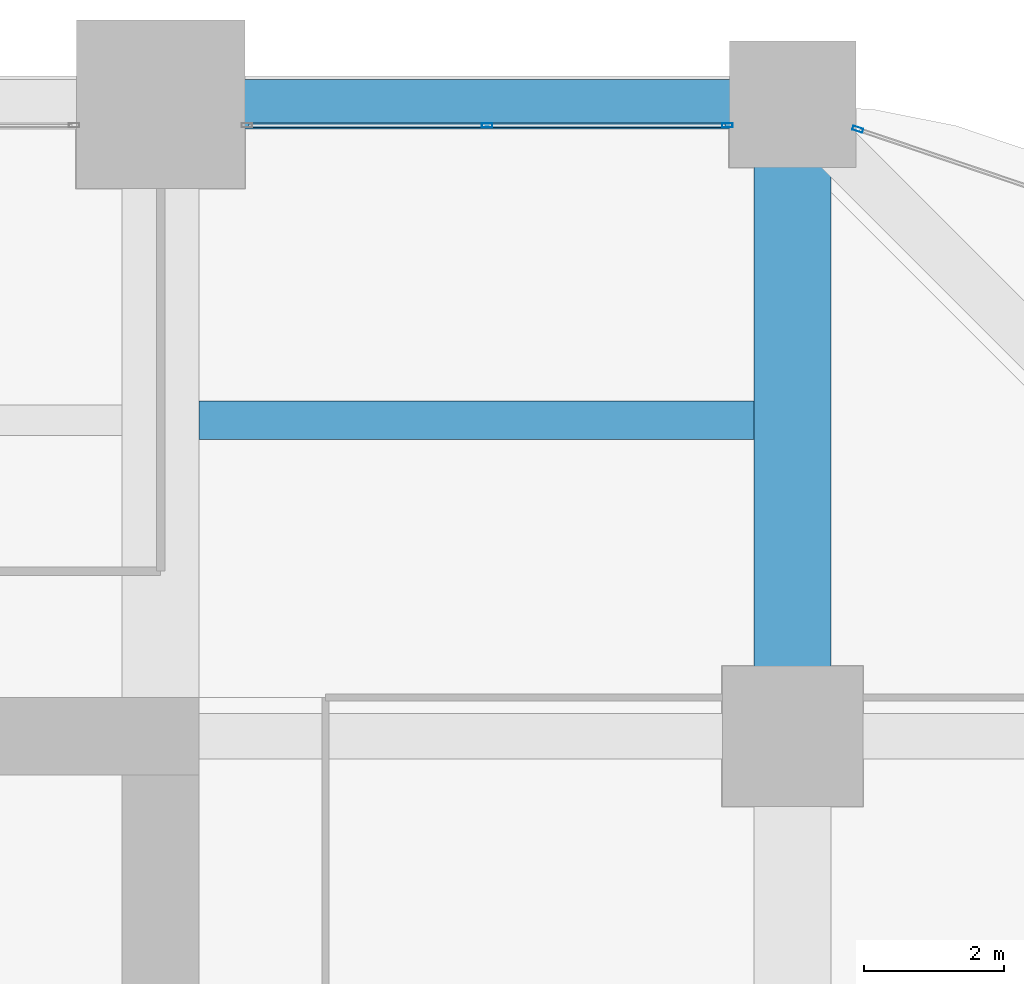
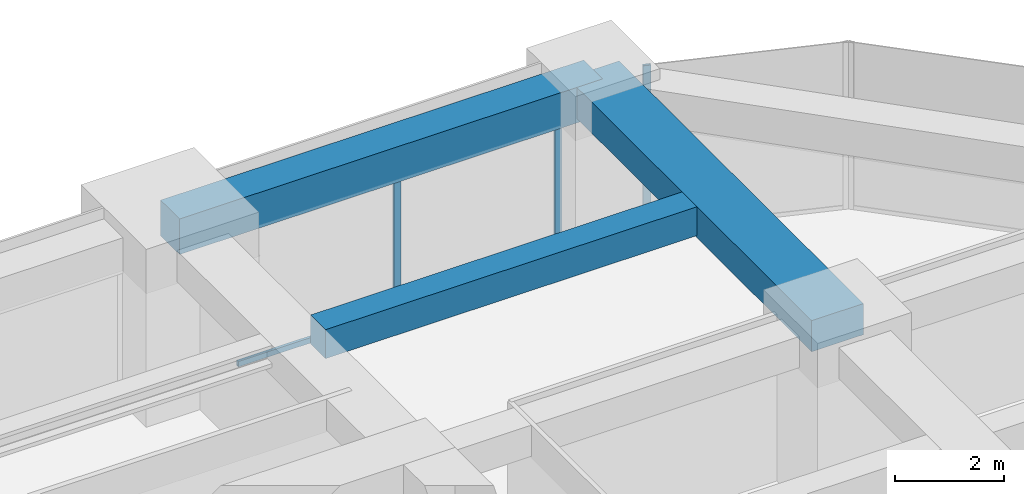
# One storey, part 33 of 39: 4 members, 3 beams, 2 elements without a shape of their own.
"""IFC4 building model written with IfcOpenShell, lengths in metres."""

import ifcopenshell
import ifcopenshell.guid

model = None  # the IFC model being written
_history = None  # IfcOwnerHistory: only IFC2X3 demands one
_inside = {}  # id of a spatial element -> (the spatial element, [elements in it])
_under = {}  # id of a project, library or spatial element -> (it, [spatial elements below it])
_declared = {}  # id of a project -> (the project, [libraries it declares])
_typed = {}  # id of a type object -> (the type object, [elements of that type])
_made_of = {}  # id of a material, layer set ... -> (it, [elements and type objects made of it])


def new_model(schema):
    """Start an empty IFC model of exactly this schema.

    Asked for "IFC4X3", IfcOpenShell would pick the latest addendum, in which some entities
    have other attributes; the version numbers below select the first issue.
    IFC2X3 requires an IfcOwnerHistory on every rooted entity: one is made here for all.
    """
    global model, _history
    if schema == "IFC4X3":
        model = ifcopenshell.file(schema_version=(4, 3, 0, 0))
    else:
        model = ifcopenshell.file(schema=schema)
    _inside.clear()
    _under.clear()
    _declared.clear()
    _typed.clear()
    _made_of.clear()
    _history = None
    if model.schema == "IFC2X3":
        org = make("IfcOrganization", Name="unknown")
        user = make(
            "IfcPersonAndOrganization",
            ThePerson=make("IfcPerson", FamilyName="unknown"),
            TheOrganization=org,
        )
        app = make(
            "IfcApplication",
            ApplicationDeveloper=org,
            Version="unknown",
            ApplicationFullName="unknown",
            ApplicationIdentifier="unknown",
        )
        _history = make(
            "IfcOwnerHistory",
            OwningUser=user,
            OwningApplication=app,
            ChangeAction="ADDED",
            CreationDate=0,
        )
    return model


def make(cls, **values):
    """One entity of the class cls with the attributes given. An attribute that is None is left unset."""
    return model.create_entity(
        cls, **{name: value for name, value in values.items() if value is not None}
    )


def rooted(cls, **values):
    """An entity with a GlobalId (a new one), such as an element, a storey or a relation."""
    return make(cls, GlobalId=ifcopenshell.guid.new(), OwnerHistory=_history, **values)


def si_unit(unit_type, name, prefix=None):
    """IfcSIUnit, for example si_unit("LENGTHUNIT", "METRE", prefix="MILLI")."""
    return make("IfcSIUnit", UnitType=unit_type, Prefix=prefix, Name=name)


def assignment(units):
    """IfcUnitAssignment: the units of a project."""
    return None if units is None else make("IfcUnitAssignment", Units=units)


def point(xyz):
    """IfcCartesianPoint."""
    return None if xyz is None else make("IfcCartesianPoint", Coordinates=xyz)


def direction(xyz):
    """IfcDirection."""
    return None if xyz is None else make("IfcDirection", DirectionRatios=xyz)


def frame(location, z_axis=None, x_axis=None):
    """IfcAxis2Placement3D, a coordinate frame: its origin and axes. An axis left out is left unset."""
    return make(
        "IfcAxis2Placement3D",
        Location=point(location),
        Axis=direction(z_axis),
        RefDirection=direction(x_axis),
    )


def frame_2d(location, x_axis=None):
    """IfcAxis2Placement2D, a coordinate frame in the plane: its origin and x axis."""
    return make(
        "IfcAxis2Placement2D", Location=point(location), RefDirection=direction(x_axis)
    )


def origin():
    """The frame at (0, 0, 0) with its axes left unset."""
    return frame((0.0, 0.0, 0.0))


def origin_2d():
    """The frame at (0, 0) in the plane with its x axis left unset."""
    return frame_2d((0.0, 0.0))


def place(relative_to, where):
    """IfcLocalPlacement: puts the frame where relative to a parent placement (None: the world)."""
    return make(
        "IfcLocalPlacement", PlacementRelTo=relative_to, RelativePlacement=where
    )


def context(
    kind, dimensions, precision=None, world=None, true_north=None, identifier=None
):
    """IfcGeometricRepresentationContext, for example the 3D "Model" context."""
    return make(
        "IfcGeometricRepresentationContext",
        ContextIdentifier=identifier,
        ContextType=kind,
        CoordinateSpaceDimension=dimensions,
        Precision=precision,
        WorldCoordinateSystem=world,
        TrueNorth=true_north,
    )


def subcontext(parent, identifier, kind, view, scale=None):
    """IfcGeometricRepresentationSubContext, for example "Body" below "Model"."""
    return make(
        "IfcGeometricRepresentationSubContext",
        ContextIdentifier=identifier,
        ContextType=kind,
        ParentContext=parent,
        TargetScale=scale,
        TargetView=view,
    )


def project(units=None, contexts=None):
    """IfcProject with its units and contexts."""
    return rooted(
        "IfcProject",
        Name="project",
        RepresentationContexts=contexts,
        UnitsInContext=assignment(units),
    )


def spatial(cls, under=None, at=None, **own):
    """A site, building, storey or space (cls), placed at a placement, below another one or the project."""
    s = rooted(cls, ObjectPlacement=at, **own)
    if under is not None:
        _under.setdefault(under.id(), (under, []))[1].append(s)
    return s


def profile(cls, at=None, kind="AREA", **sizes):
    """A parametric profile (cls). Its sizes go by their IFC names, for example OverallWidth=200.0."""
    return make(cls, ProfileType=kind, Position=at, **sizes)


def rectangle(**sizes):
    """IfcRectangleProfileDef."""
    return profile("IfcRectangleProfileDef", **sizes)


def hollow_rectangle(**sizes):
    """IfcRectangleHollowProfileDef."""
    return profile("IfcRectangleHollowProfileDef", **sizes)


def extrude(swept, where, along, depth):
    """IfcExtrudedAreaSolid: the profile swept, set in the frame where, extruded along a direction by depth."""
    return make(
        "IfcExtrudedAreaSolid",
        SweptArea=swept,
        Position=where,
        ExtrudedDirection=direction(along),
        Depth=depth,
    )


def shape(context_of_items, identifier, shape_type, items):
    """IfcShapeRepresentation: the items that make up one representation, for example the "Body"."""
    return make(
        "IfcShapeRepresentation",
        ContextOfItems=context_of_items,
        RepresentationIdentifier=identifier,
        RepresentationType=shape_type,
        Items=items,
    )


def material(Name=None, Category=None):
    """IfcMaterial."""
    return make("IfcMaterial", Name=Name, Category=Category)


def material_profile(
    of_material, cross_section, Name=None, Category=None, Priority=None
):
    """IfcMaterialProfile: a cross section and its material."""
    return make(
        "IfcMaterialProfile",
        Name=Name,
        Material=of_material,
        Profile=cross_section,
        Priority=Priority,
        Category=Category,
    )


def profile_set(profiles, Name=None, composite=None):
    """IfcMaterialProfileSet."""
    return make(
        "IfcMaterialProfileSet",
        Name=Name,
        MaterialProfiles=profiles,
        CompositeProfile=composite,
    )


def made_of(thing, what):
    """Note that an element or type object is made of a material, layer set ...; save() writes the relation."""
    if what is not None:
        _made_of.setdefault(what.id(), (what, []))[1].append(thing)
    return thing


def type_object(cls, material=None, **own):
    """A type object (cls), such as IfcWallType, which elements share."""
    return made_of(rooted(cls, **own), material)


def element(
    cls,
    number,
    at=None,
    inside=None,
    cuts=None,
    type_object=None,
    material=None,
    context=None,
    identifier="Body",
    shape_type=None,
    held_by="IfcProductDefinitionShape",
    body=None,
    shapes=None,
    **own,
):
    """One element of the class cls, such as IfcWall. Its Tag is "e" and its number.

    at: its placement. inside: the storey or other place that contains it. cuts: it is an
    opening in that element (IfcRelVoidsElement). A single representation is given by context,
    identifier, shape_type and body (its items); several are given by shapes. held_by: the class
    of the entity that holds the representations. save() writes the other relations.
    """
    e = rooted(cls, Tag="e%d" % number, ObjectPlacement=at, **own)
    if body is not None:
        shapes = [shape(context, identifier, shape_type, body)]
    if shapes is not None:
        e.Representation = make(held_by, Representations=shapes)
    if inside is not None:
        _inside.setdefault(inside.id(), (inside, []))[1].append(e)
    if cuts is not None:
        rooted(
            "IfcRelVoidsElement", RelatingBuildingElement=cuts, RelatedOpeningElement=e
        )
    if type_object is not None:
        _typed.setdefault(type_object.id(), (type_object, []))[1].append(e)
    return made_of(e, material)


def aggregate(whole, parts):
    """IfcRelAggregates: a whole, such as a stair, and the parts it consists of."""
    return rooted("IfcRelAggregates", RelatingObject=whole, RelatedObjects=parts)


def save(model, path):
    """Write the relations noted so far, then the file.

    IfcRelAggregates (storeys below a building ...), IfcRelContainedInSpatialStructure (elements
    in a storey), IfcRelDefinesByType, IfcRelAssociatesMaterial and IfcRelDeclares: one each for
    every whole, place, type object, material and project.
    """
    for whole, parts in _under.values():
        aggregate(whole, parts)
    for where, things in _inside.values():
        rooted(
            "IfcRelContainedInSpatialStructure",
            RelatedElements=things,
            RelatingStructure=where,
        )
    for kind, things in _typed.values():
        rooted("IfcRelDefinesByType", RelatedObjects=things, RelatingType=kind)
    for what, things in _made_of.values():
        rooted("IfcRelAssociatesMaterial", RelatedObjects=things, RelatingMaterial=what)
    for by, libraries in _declared.values():
        rooted("IfcRelDeclares", RelatingContext=by, RelatedDefinitions=libraries)
    model.write(path)


model = new_model("IFC4")

# Units and contexts
model_context = context("Model", 3, precision=1e-05, world=origin(), true_north=direction((0.0, 1.0)))
body_context = subcontext(model_context, "Body", "Model", "MODEL_VIEW")
ifc_project = project(units=[si_unit("LENGTHUNIT", "METRE"), si_unit("AREAUNIT", "SQUARE_METRE"), si_unit("VOLUMEUNIT", "CUBIC_METRE"), si_unit("PLANEANGLEUNIT", "RADIAN"), si_unit("MASSUNIT", "GRAM", prefix="KILO")], contexts=[model_context])

# Site, building, storey
site_placement = place(None, origin())
site = spatial("IfcSite", under=ifc_project, at=site_placement, CompositionType="ELEMENT")
building_placement = place(site_placement, origin())
building = spatial("IfcBuilding", under=site, at=building_placement, Name="Zorevar Civic Tower", CompositionType="ELEMENT")
storey_placement = place(building_placement, frame((0.0, 0.0, 121.0)))
storey = spatial("IfcBuildingStorey", under=building, at=storey_placement, Name="L29", CompositionType="ELEMENT", Elevation=121.0)

# Beams
ifc_material_1 = material(Name="Concrete C50/60", Category="concrete")
ifc_material_profile_1 = material_profile(ifc_material_1, rectangle(XDim=1.10009765625, YDim=0.699951171875, at=origin_2d()), Name="RC 1100x700")
ifc_profile_set_1 = profile_set([ifc_material_profile_1], Name="Concrete C50/60")
beam_type_1 = type_object("IfcBeamType", Name="Beam RC 1100x700", PredefinedType="BEAM", material=ifc_profile_set_1)
beam_1_placement = place(storey_placement, frame((54.0, 36.0, 3.39990234375), z_axis=(0.0, 1.0, 0.0), x_axis=(-1.0, 0.0, 0.0)))
element("IfcBeam", 1, at=beam_1_placement, inside=storey, type_object=beam_type_1, Name="Girder L30", PredefinedType="BEAM", context=body_context, shape_type="SweptSolid", body=[
    extrude(rectangle(XDim=1.10009765625, YDim=0.699951171875, at=origin_2d()), origin(), (0.0, 0.0, 1.0), 9.0),
])
ifc_material_2 = material(Name="Concrete C50/60", Category="concrete")
ifc_material_profile_2 = material_profile(ifc_material_2, rectangle(XDim=0.550048828125, YDim=0.64990234375, at=origin_2d()), Name="RC 550x650")
ifc_profile_set_2 = profile_set([ifc_material_profile_2], Name="Concrete C50/60")
beam_type_2 = type_object("IfcBeamType", Name="Beam RC 550x650", PredefinedType="BEAM", material=ifc_profile_set_2)
beam_2_placement = place(storey_placement, frame((45.550048828125, 40.5, 3.425048828125), z_axis=(1.0, 0.0, 0.0), x_axis=(0.0, 1.0, 0.0)))
element("IfcBeam", 2, at=beam_2_placement, inside=storey, type_object=beam_type_2, Name="Secondary beam L30", PredefinedType="BEAM", context=body_context, shape_type="SweptSolid", body=[
    extrude(rectangle(XDim=0.550048828125, YDim=0.64990234375, at=origin_2d()), origin(), (0.0, 0.0, 1.0), 7.89990234375),
])

# Curtain wall, members
ifc_material_3 = material(Name="Dark grey solar-control glass in black aluminium frame", Category="aluminium")
curtain_wall_type = type_object("IfcCurtainWallType", Name="Curtain wall CW3 mid zone", PredefinedType="NOTDEFINED", material=ifc_material_3)
curtain_wall_1_placement = place(storey_placement, origin())
curtain_wall_1 = element("IfcCurtainWall", 3, at=curtain_wall_1_placement, inside=storey, type_object=curtain_wall_type, Name="CW3 L29", PredefinedType="NOTDEFINED")
ifc_material_4 = material(Name="Aluminium, black anodised", Category="aluminium")
ifc_material_profile_3 = material_profile(ifc_material_4, hollow_rectangle(XDim=0.06005859375, YDim=0.14990234375, WallThickness=0.00390625, at=origin_2d()), Name="AL 150x60x4")
ifc_profile_set_3 = profile_set([ifc_material_profile_3], Name="Aluminium, black anodised")
member_type_1 = type_object("IfcMemberType", Name="CW3 mullion AL 150x60x4", PredefinedType="MULLION", material=ifc_profile_set_3)
member_1_placement = place(storey_placement, frame((49.64990234375, 44.699951171875, 0.06005859375), z_axis=(0.0, 0.0, 1.0), x_axis=(0.0, 1.0, 0.0)))
member_1 = element("IfcMember", 4, at=member_1_placement, type_object=member_type_1, Name="CW3 mullion 2", PredefinedType="MULLION", context=body_context, shape_type="SweptSolid", body=[
    extrude(hollow_rectangle(XDim=0.06005859375, YDim=0.14990234375, WallThickness=0.00390625, at=origin_2d()), origin(), (0.0, 0.0, 1.0), 2.889892578125),
])
member_2_placement = place(storey_placement, frame((53.070068359375, 44.699951171875, 0.0), z_axis=(0.0, 0.0, 1.0), x_axis=(0.0, 1.0, 0.0)))
member_2 = element("IfcMember", 5, at=member_2_placement, type_object=member_type_1, Name="CW3 mullion 3", PredefinedType="MULLION", context=body_context, shape_type="SweptSolid", body=[
    extrude(hollow_rectangle(XDim=0.06005859375, YDim=0.14990234375, WallThickness=0.00390625, at=origin_2d()), origin(), (0.0, 0.0, 1.0), 2.949951171875),
])

# Curtain wall, member
curtain_wall_2_placement = place(storey_placement, origin())
curtain_wall_2 = element("IfcCurtainWall", 6, at=curtain_wall_2_placement, inside=storey, type_object=curtain_wall_type, Name="CW3 L29", PredefinedType="NOTDEFINED")
member_3_placement = place(storey_placement, frame((54.928466796875, 44.643798828125, 0.0), z_axis=(0.0, 0.0, 1.0), x_axis=(-0.319412525043, -0.947615765406, 0.0)))
member_3 = element("IfcMember", 7, at=member_3_placement, type_object=member_type_1, Name="CW3 mullion 2", PredefinedType="MULLION", context=body_context, shape_type="SweptSolid", body=[
    extrude(hollow_rectangle(XDim=0.06005859375, YDim=0.14990234375, WallThickness=0.00390625, at=origin_2d()), origin(), (0.0, 0.0, 1.0), 3.75),
])
aggregate(curtain_wall_2, [member_3])

# Member
ifc_material_5 = material(Name="Aluminium, black anodised", Category="aluminium")
ifc_material_profile_4 = material_profile(ifc_material_5, hollow_rectangle(XDim=0.06005859375, YDim=0.1201171875, WallThickness=0.0029296875, at=origin_2d()), Name="AL 120x60x3")
ifc_profile_set_4 = profile_set([ifc_material_profile_4], Name="Aluminium, black anodised")
member_type_2 = type_object("IfcMemberType", Name="CW3 transom AL 120x60x3", PredefinedType="USERDEFINED", material=ifc_profile_set_4)
member_4_placement = place(storey_placement, frame((46.260009765625, 44.699951171875, 0.030029296875), z_axis=(1.0, 0.0, 0.0), x_axis=(0.0, 1.0, 0.0)))
member_4 = element("IfcMember", 8, at=member_4_placement, type_object=member_type_2, Name="CW3 sill transom", ObjectType="TRANSOM", PredefinedType="USERDEFINED", context=body_context, shape_type="SweptSolid", body=[
    extrude(hollow_rectangle(XDim=0.06005859375, YDim=0.1201171875, WallThickness=0.0029296875, at=origin_2d()), origin(), (0.0, 0.0, 1.0), 6.780029296875),
])

aggregate(curtain_wall_1, [member_1, member_2, member_4])

# Beam
ifc_material_6 = material(Name="Concrete C50/60", Category="concrete")
ifc_material_profile_5 = material_profile(ifc_material_6, rectangle(XDim=0.699951171875, YDim=0.800048828125, at=origin_2d()), Name="RC 700x800")
ifc_profile_set_5 = profile_set([ifc_material_profile_5], Name="Concrete C50/60")
beam_type_3 = type_object("IfcBeamType", Name="Edge beam RC 700x800", PredefinedType="SPANDREL", material=ifc_profile_set_5)
beam_3_placement = place(storey_placement, frame((45.0, 45.0, 3.35009765625), z_axis=(1.0, 0.0, 0.0), x_axis=(0.0, 1.0, 0.0)))
element("IfcBeam", 9, at=beam_3_placement, inside=storey, type_object=beam_type_3, Name="Edge beam L30", PredefinedType="SPANDREL", context=body_context, shape_type="SweptSolid", body=[
    extrude(rectangle(XDim=0.699951171875, YDim=0.800048828125, at=origin_2d()), origin(), (0.0, 0.0, 1.0), 9.0),
])

save(model, "model.ifc")
